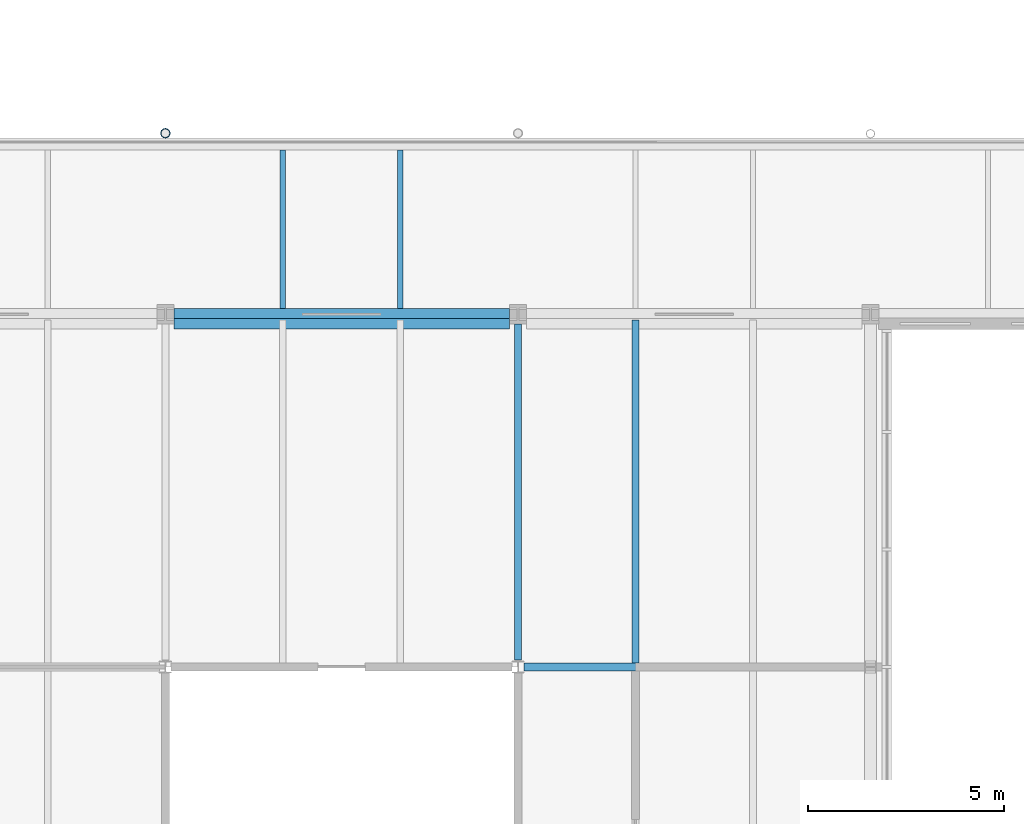
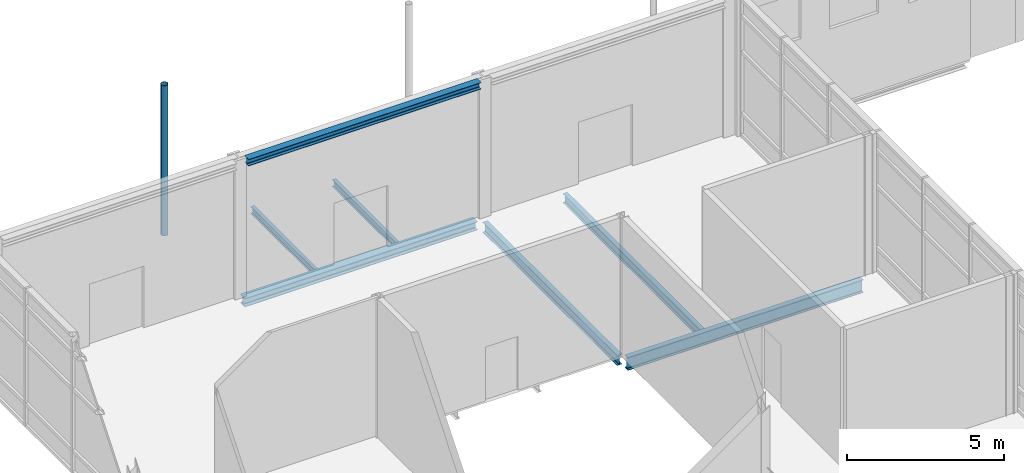
# One storey, part 20 of 46: 7 beams, 1 member.
"""IFC4 building model written with IfcOpenShell, lengths in metres."""

from ifc_helpers import new_model, si_unit, direction, frame, origin, origin_2d, place, context, subcontext, project, spatial, hollow_circle, i_section, extrude, material, material_profile, profile_set, type_object, element, save


model = new_model("IFC4")

# Units and contexts
model_context = context("Model", 3, precision=1e-05, world=origin(), true_north=direction((0.0, 1.0)))
body_context = subcontext(model_context, "Body", "Model", "MODEL_VIEW")
ifc_project = project(units=[si_unit("LENGTHUNIT", "METRE"), si_unit("AREAUNIT", "SQUARE_METRE"), si_unit("VOLUMEUNIT", "CUBIC_METRE"), si_unit("PLANEANGLEUNIT", "RADIAN"), si_unit("MASSUNIT", "GRAM", prefix="KILO")], contexts=[model_context])

# Site, building, storey
site_placement = place(None, origin())
site = spatial("IfcSite", under=ifc_project, at=site_placement, CompositionType="ELEMENT")
building_placement = place(site_placement, origin())
building = spatial("IfcBuilding", under=site, at=building_placement, Name="Azimuth Sports and Learning Centre", CompositionType="ELEMENT")
storey_placement = place(building_placement, frame((0.0, 0.0, 21.60009765625)))
storey = spatial("IfcBuildingStorey", under=building, at=storey_placement, Name="L04", CompositionType="ELEMENT", Elevation=21.60009765625)

# Beams
ifc_material_1 = material(Name="Steel S355", Category="steel")
ifc_material_profile_1 = material_profile(ifc_material_1, i_section(OverallWidth=0.179931640625, OverallDepth=0.39990234375, WebThickness=0.008544921875, FlangeThickness=0.013427734375, FilletRadius=0.02099609375, at=origin_2d()), Name="IPE 400")
ifc_profile_set_1 = profile_set([ifc_material_profile_1], Name="Steel S355")
beam_type_1 = type_object("IfcBeamType", Name="Beam IPE 400", PredefinedType="BEAM", material=ifc_profile_set_1)
beam_1_placement = place(storey_placement, frame((90.0, 81.179931640625, -0.35009765625), z_axis=(0.0, 1.0, 0.0), x_axis=(-1.0, 0.0, 0.0)))
element("IfcBeam", 1, at=beam_1_placement, inside=storey, type_object=beam_type_1, Name="Beam L04 ST 40", PredefinedType="BEAM", context=body_context, shape_type="SweptSolid", body=[
    extrude(i_section(OverallWidth=0.179931640625, OverallDepth=0.39990234375, WebThickness=0.008544921875, FlangeThickness=0.013427734375, FilletRadius=0.02099609375, at=origin_2d()), origin(), (0.0, 0.0, 1.0), 8.571044921875),
])
ifc_material_2 = material(Name="Steel S355", Category="steel")
ifc_material_profile_2 = material_profile(ifc_material_2, i_section(OverallWidth=0.199951171875, OverallDepth=0.5, WebThickness=0.01025390625, FlangeThickness=0.01611328125, FilletRadius=0.02099609375, at=origin_2d()), Name="IPE 500")
ifc_profile_set_2 = profile_set([ifc_material_profile_2], Name="Steel S355")
beam_type_2 = type_object("IfcBeamType", Name="Beam IPE 500", PredefinedType="BEAM", material=ifc_profile_set_2)
beam_2_placement = place(storey_placement, frame((90.14990234375, 81.0, -0.400146484375), z_axis=(1.0, 0.0, 0.0), x_axis=(0.0, 1.0, 0.0)))
element("IfcBeam", 2, at=beam_2_placement, inside=storey, type_object=beam_type_2, Name="Beam L04 ST 17", PredefinedType="BEAM", context=body_context, shape_type="SweptSolid", body=[
    extrude(i_section(OverallWidth=0.199951171875, OverallDepth=0.5, WebThickness=0.01025390625, FlangeThickness=0.01611328125, FilletRadius=0.02099609375, at=origin_2d()), origin(), (0.0, 0.0, 1.0), 8.670166015625),
])
ifc_material_3 = material(Name="Steel S355", Category="steel")
ifc_material_profile_3 = material_profile(ifc_material_3, i_section(OverallWidth=0.300048828125, OverallDepth=0.330078125, WebThickness=0.009521484375, FlangeThickness=0.0166015625, FilletRadius=0.027099609375, at=origin_2d()), Name="HEA 340")
ifc_profile_set_3 = profile_set([ifc_material_profile_3], Name="Steel S355")
beam_type_3 = type_object("IfcBeamType", Name="Edge beam HEA 340", PredefinedType="SPANDREL", material=ifc_profile_set_3)
beam_3_placement = place(storey_placement, frame((81.216064453125, 90.0, -0.315185546875), z_axis=(1.0, 0.0, 0.0), x_axis=(0.0, 1.0, 0.0)))
element("IfcBeam", 3, at=beam_3_placement, inside=storey, type_object=beam_type_3, Name="Edge beam L04 ST 19", PredefinedType="SPANDREL", context=body_context, shape_type="SweptSolid", body=[
    extrude(i_section(OverallWidth=0.300048828125, OverallDepth=0.330078125, WebThickness=0.009521484375, FlangeThickness=0.0166015625, FilletRadius=0.027099609375, at=origin_2d()), origin(), (0.0, 0.0, 1.0), 8.56787109375),
])
ifc_material_4 = material(Name="Steel S355", Category="steel")
ifc_material_profile_4 = material_profile(ifc_material_4, i_section(OverallWidth=0.260009765625, OverallDepth=0.260009765625, WebThickness=0.010009765625, FlangeThickness=0.017578125, FilletRadius=0.02392578125, at=origin_2d()), Name="HEB 260")
ifc_profile_set_4 = profile_set([ifc_material_profile_4], Name="Steel S355")
beam_type_4 = type_object("IfcBeamType", Name="Edge beam HEB 260", PredefinedType="SPANDREL", material=ifc_profile_set_4)
beam_4_placement = place(storey_placement, frame((81.216064453125, 89.760009765625, 5.27001953125), z_axis=(1.0, 0.0, 0.0), x_axis=(0.0, 1.0, 0.0)))
element("IfcBeam", 4, at=beam_4_placement, inside=storey, type_object=beam_type_4, Name="Hall wall ledger beam 2", PredefinedType="SPANDREL", context=body_context, shape_type="SweptSolid", body=[
    extrude(i_section(OverallWidth=0.260009765625, OverallDepth=0.260009765625, WebThickness=0.010009765625, FlangeThickness=0.017578125, FilletRadius=0.02392578125, at=origin_2d()), origin(), (0.0, 0.0, 1.0), 8.56787109375),
])
ifc_material_5 = material(Name="Steel S355", Category="steel")
ifc_material_profile_5 = material_profile(ifc_material_5, i_section(OverallWidth=0.135009765625, OverallDepth=0.27001953125, WebThickness=0.006591796875, FlangeThickness=0.01025390625, FilletRadius=0.014892578125, at=origin_2d()), Name="IPE 270")
ifc_profile_set_5 = profile_set([ifc_material_profile_5], Name="Steel S355")
beam_type_5 = type_object("IfcBeamType", Name="Joist IPE 270", PredefinedType="JOIST", material=ifc_profile_set_5)
for number, where, z_axis, x_axis, name in (
    (5, (84.0, 90.14990234375, -0.28515625), (0.0, 1.0, 0.0), (-1.0, 0.0, 0.0), "Joist L04 HG 8"),
    (6, (87.0, 90.14990234375, -0.28515625), (0.0, 1.0, 0.0), (-1.0, 0.0, 0.0), "Joist L04 HG 9"),
):
    element("IfcBeam", number, at=place(storey_placement, frame(where, z_axis=z_axis, x_axis=x_axis)), inside=storey, type_object=beam_type_5, Name=name, PredefinedType="JOIST", context=body_context, shape_type="SweptSolid", body=[
        extrude(i_section(OverallWidth=0.135009765625, OverallDepth=0.27001953125, WebThickness=0.006591796875, FlangeThickness=0.01025390625, FilletRadius=0.014892578125, at=origin_2d()), origin(), (0.0, 0.0, 1.0), 4.050048828125),
    ])
ifc_material_6 = material(Name="Steel S355", Category="steel")
ifc_material_profile_6 = material_profile(ifc_material_6, i_section(OverallWidth=0.169921875, OverallDepth=0.360107421875, WebThickness=0.008056640625, FlangeThickness=0.0126953125, FilletRadius=0.01806640625, at=origin_2d()), Name="IPE 360")
ifc_profile_set_6 = profile_set([ifc_material_profile_6], Name="Steel S355")
beam_type_6 = type_object("IfcBeamType", Name="Joist IPE 360", PredefinedType="JOIST", material=ifc_profile_set_6)
beam_5_placement = place(storey_placement, frame((93.0, 81.10009765625, -0.330078125), z_axis=(0.0, 1.0, 0.0), x_axis=(-1.0, 0.0, 0.0)))
element("IfcBeam", 7, at=beam_5_placement, inside=storey, type_object=beam_type_6, Name="Joist L04 ST 83", PredefinedType="JOIST", context=body_context, shape_type="SweptSolid", body=[
    extrude(i_section(OverallWidth=0.169921875, OverallDepth=0.360107421875, WebThickness=0.008056640625, FlangeThickness=0.0126953125, FilletRadius=0.01806640625, at=origin_2d()), origin(), (0.0, 0.0, 1.0), 8.75),
])

# Member
ifc_material_7 = material(Name="Steel S355", Category="steel")
ifc_material_profile_7 = material_profile(ifc_material_7, hollow_circle(Radius=0.122314453125, WallThickness=0.012451171875, at=origin_2d()), Name="CHS 244.5x12.5")
ifc_profile_set_7 = profile_set([ifc_material_profile_7], Name="Steel S355")
member_type = type_object("IfcMemberType", Name="Truss post CHS 244.5x12.5", PredefinedType="POST", material=ifc_profile_set_7)
member_placement = place(storey_placement, frame((81.0, 94.622314453125, -0.4501953125), z_axis=(0.0, 0.0, 1.0), x_axis=(1.0, 0.0, 0.0)))
element("IfcMember", 8, at=member_placement, inside=storey, type_object=member_type, Name="Gallery hanger TT-2", PredefinedType="POST", context=body_context, shape_type="SweptSolid", body=[
    extrude(hollow_circle(Radius=0.122314453125, WallThickness=0.012451171875, at=origin_2d()), origin(), (0.0, 0.0, 1.0), 5.85009765625),
])

save(model, "model.ifc")
